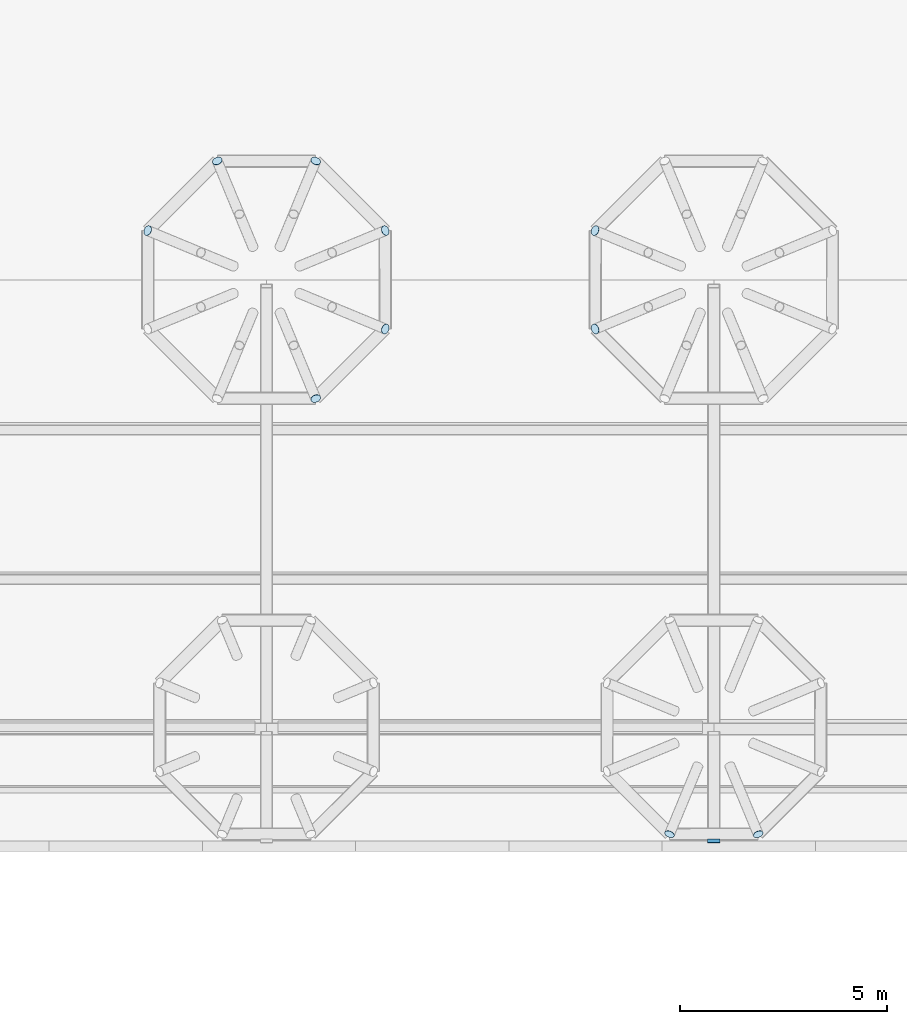
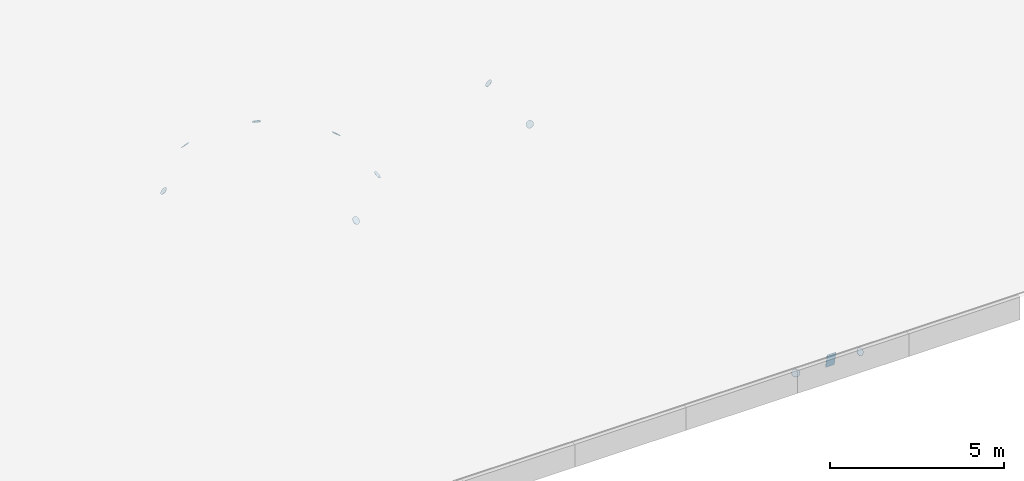
# One storey, part 40 of 56: 11 plates.
"""IFC4 building model written with IfcOpenShell, lengths in metres."""

from ifc_helpers import new_model, si_unit, direction, frame, origin, origin_2d, place, context, subcontext, project, spatial, rectangle, circle, extrude, material, material_profile, profile_set, type_object, element, save


model = new_model("IFC4")

# Units and contexts
model_context = context("Model", 3, precision=1e-05, world=origin(), true_north=direction((0.0, 1.0)))
body_context = subcontext(model_context, "Body", "Model", "MODEL_VIEW")
ifc_project = project(units=[si_unit("LENGTHUNIT", "METRE"), si_unit("AREAUNIT", "SQUARE_METRE"), si_unit("VOLUMEUNIT", "CUBIC_METRE"), si_unit("PLANEANGLEUNIT", "RADIAN"), si_unit("MASSUNIT", "GRAM", prefix="KILO")], contexts=[model_context])

# Site, building, storey
site_placement = place(None, origin())
site = spatial("IfcSite", under=ifc_project, at=site_placement, CompositionType="ELEMENT")
building_placement = place(site_placement, origin())
building = spatial("IfcBuilding", under=site, at=building_placement, Name="Magnolia Steps Interchange", CompositionType="ELEMENT")
storey_placement = place(building_placement, frame((0.0, 0.0, 8.699951171875)))
storey = spatial("IfcBuildingStorey", under=building, at=storey_placement, Name="L02", CompositionType="ELEMENT", Elevation=8.699951171875)

# Plates
ifc_material_1 = material(Name="Steel Q355B", Category="steel")
ifc_material_profile_1 = material_profile(ifc_material_1, circle(Radius=0.12255859375, at=origin_2d()), Name="End plate CHS245x12")
ifc_profile_set_1 = profile_set([ifc_material_profile_1], Name="Steel Q355B")
plate_type_1 = type_object("IfcPlateType", Name="End plate CHS245x12", PredefinedType="SHEET", material=ifc_profile_set_1)
for number, where, z_axis, x_axis, name in (
    (1, (99.263916015625, 54.38623046875, 3.2744140625), (0.664583318381, 0.275279424158, 0.694658370398), (-0.382683432789, 0.923879532336, 0.0), "End plate Tree rib"),
    (2, (97.586181640625, 56.06396484375, 3.2744140625), (0.275279424158, 0.664583318381, 0.694658370398), (-0.923879532336, 0.382683432789, 0.0), "End plate Tree rib"),
    (3, (95.213623046875, 56.06396484375, 3.2744140625), (-0.275279424158, 0.664583318381, 0.694658370398), (-0.923879532336, -0.382683432789, 0.0), "End plate Tree rib"),
    (4, (93.535888671875, 54.38623046875, 3.2744140625), (-0.664583318381, 0.275279424158, 0.694658370398), (-0.382683432789, -0.923879532336, 0.0), "End plate Tree rib"),
    (5, (97.586181640625, 50.3359375, 3.2744140625), (0.275279424158, -0.664583318381, 0.694658370398), (0.923879532336, 0.382683432789, 0.0), "End plate Tree rib"),
    (6, (99.263916015625, 52.013671875, 3.2744140625), (0.664583318381, -0.275279424158, 0.694658370398), (0.382683432789, 0.923879532336, 0.0), "End plate Tree rib"),
    (7, (106.13134765625, 39.820068359375, 1.298828125), (-0.310071112914, -0.748577885793, 0.586077685838), (0.923879532456, -0.382683432498, 0.0), "End plate Tree rib"),
    (8, (108.268798828125, 39.820068359375, 1.298828125), (0.310071112914, -0.748577885793, 0.586077685838), (0.923879532456, 0.382683432498, 0.0), "End plate Tree rib"),
    (9, (104.3359375, 54.38623046875, 3.2744140625), (-0.664583318381, 0.275279424158, 0.694658370398), (-0.382683432789, -0.923879532336, 0.0), "End plate Tree rib"),
    (10, (104.3359375, 52.013671875, 3.2744140625), (-0.664583318381, -0.275279424158, 0.694658370398), (0.382683432789, -0.923879532336, 0.0), "End plate Tree rib"),
):
    element("IfcPlate", number, at=place(storey_placement, frame(where, z_axis=z_axis, x_axis=x_axis)), inside=storey, type_object=plate_type_1, Name=name, PredefinedType="SHEET", context=body_context, shape_type="SweptSolid", body=[
        extrude(circle(Radius=0.12255859375, at=origin_2d()), origin(), (0.0, 0.0, 1.0), 0.008056640625),
    ])
ifc_material_2 = material(Name="Steel Q355B", Category="steel")
ifc_material_profile_2 = material_profile(ifc_material_2, rectangle(XDim=0.300048828125, YDim=0.5, at=origin_2d()), Name="End plate RHS500x300x16")
ifc_profile_set_2 = profile_set([ifc_material_profile_2], Name="Steel Q355B")
plate_type_2 = type_object("IfcPlateType", Name="End plate RHS500x300x16", PredefinedType="SHEET", material=ifc_profile_set_2)
plate_placement = place(storey_placement, frame((107.199951171875, 39.659912109375, 1.491943359375), z_axis=(0.0, -0.983682817222, -0.179911409041), x_axis=(1.0, 0.0, 0.0)))
element("IfcPlate", 11, at=plate_placement, inside=storey, type_object=plate_type_2, Name="End plate Roof beam", PredefinedType="SHEET", context=body_context, shape_type="SweptSolid", body=[
    extrude(rectangle(XDim=0.300048828125, YDim=0.5, at=origin_2d()), origin(), (0.0, 0.0, 1.0), 0.008056640625),
])

save(model, "model.ifc")
